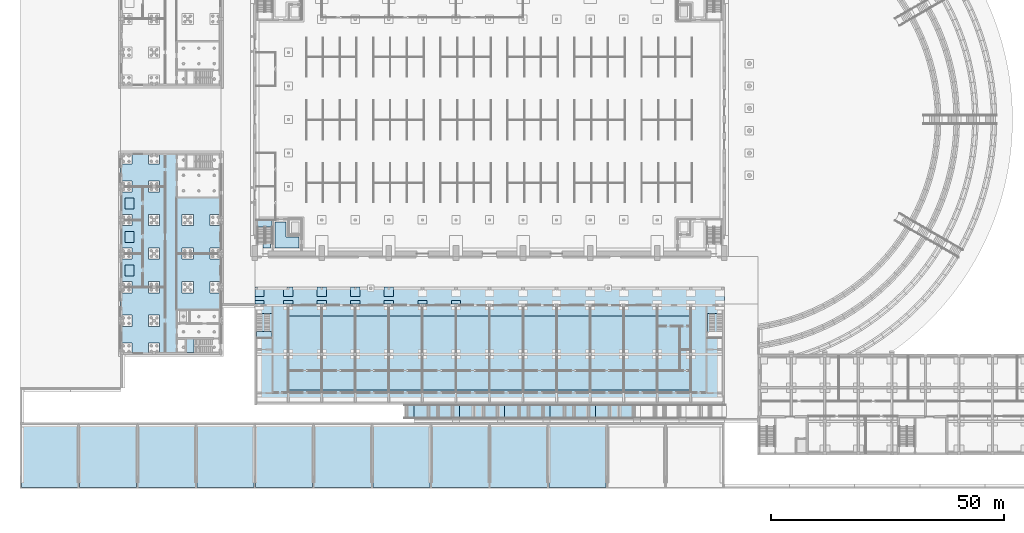
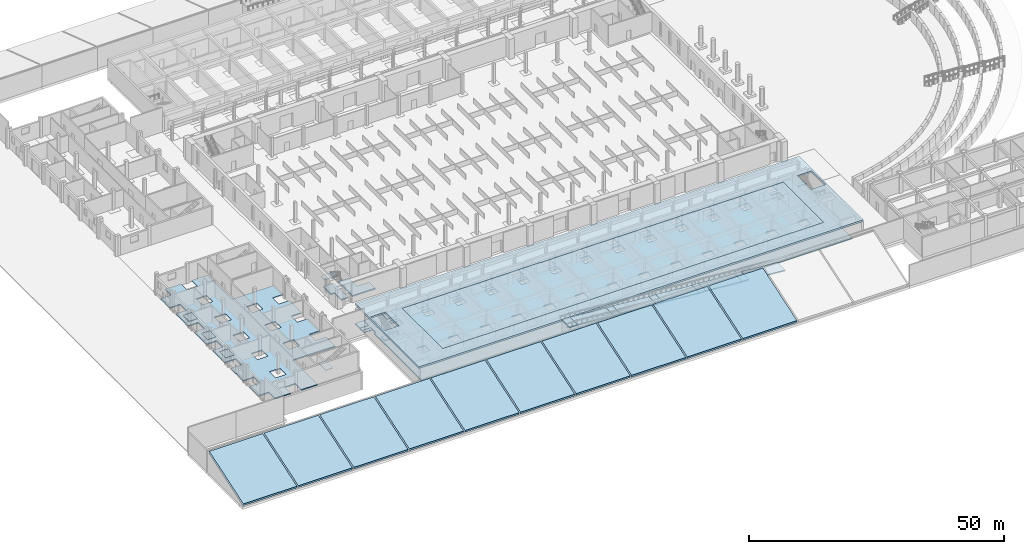
# One storey, part 23 of 73: 41 slabs, 3 plates, 3 elements without a shape of their own.
"""IFC4 building model written with IfcOpenShell, lengths in metres."""

from ifc_helpers import new_model, si_unit, direction, frame, origin, origin_2d, place, context, subcontext, project, spatial, polyline, rectangle, outline, extrude, material, layer, layer_set, type_object, element, aggregate, save


model = new_model("IFC4")

# Units and contexts
model_context = context("Model", 3, precision=1e-05, world=origin(), true_north=direction((0.0, 1.0)))
body_context = subcontext(model_context, "Body", "Model", "MODEL_VIEW")
ifc_project = project(units=[si_unit("LENGTHUNIT", "METRE"), si_unit("AREAUNIT", "SQUARE_METRE"), si_unit("VOLUMEUNIT", "CUBIC_METRE"), si_unit("PLANEANGLEUNIT", "RADIAN"), si_unit("MASSUNIT", "GRAM", prefix="KILO")], contexts=[model_context])

# Site, building, storey
site_placement = place(None, origin())
site = spatial("IfcSite", under=ifc_project, at=site_placement, CompositionType="ELEMENT")
building_placement = place(site_placement, origin())
building = spatial("IfcBuilding", under=site, at=building_placement, Name="Alderwick Market Hall", CompositionType="ELEMENT")
storey_placement = place(building_placement, origin())
storey = spatial("IfcBuildingStorey", under=building, at=storey_placement, Name="LG", CompositionType="ELEMENT", Elevation=0.0)

# Slabs
ifc_material_1 = material(Name="Concrete 4000 psi (f'c 28 MPa)", Category="concrete")
ifc_layer_1 = layer(ifc_material_1, 0.25)
ifc_layer_set_1 = layer_set([ifc_layer_1], Name="Concrete 4000 psi (f'c 28 MPa)")
slab_type_1 = type_object("IfcSlabType", Name="A Ground Slab 250", PredefinedType="BASESLAB", material=ifc_layer_set_1)
slab_1_placement = place(storey_placement, frame((0.0, 0.0, -0.25)))
element("IfcSlab", 1, at=slab_1_placement, inside=storey, type_object=slab_type_1, Name="A.S.slab.LG", PredefinedType="BASESLAB", context=body_context, shape_type="SweptSolid", body=[
    extrude(outline(polyline([(80.199951171875, 41.199951171875), (80.199951171875, 43.199951171875), (85.39990234375, 43.199951171875), (85.39990234375, 41.199951171875), (87.39990234375, 41.199951171875), (87.39990234375, 43.199951171875), (92.60009765625, 43.199951171875), (92.60009765625, 41.199951171875), (94.60009765625, 41.199951171875), (94.60009765625, 43.199951171875), (99.800048828125, 43.199951171875), (99.800048828125, 41.199951171875), (101.800048828125, 41.199951171875), (101.800048828125, 43.199951171875), (107.0, 43.199951171875), (107.0, 41.199951171875), (109.0, 41.199951171875), (109.0, 43.199951171875), (114.199951171875, 43.199951171875), (114.199951171875, 41.199951171875), (116.199951171875, 41.199951171875), (116.199951171875, 43.199951171875), (121.39990234375, 43.199951171875), (121.39990234375, 41.199951171875), (123.39990234375, 41.199951171875), (123.39990234375, 43.199951171875), (128.60009765625, 43.199951171875), (128.60009765625, 41.199951171875), (130.60009765625, 41.199951171875), (130.60009765625, 43.199951171875), (135.800048828125, 43.199951171875), (135.800048828125, 41.199951171875), (137.800048828125, 41.199951171875), (137.800048828125, 43.199951171875), (143.0, 43.199951171875), (143.0, 41.199951171875), (145.0, 41.199951171875), (145.0, 43.199951171875), (149.199951171875, 43.199951171875), (149.199951171875, 41.199951171875), (151.199951171875, 41.199951171875), (151.199951171875, 40.35009765625), (149.199951171875, 40.35009765625), (149.199951171875, 38.35009765625), (149.60009765625, 38.35009765625), (149.60009765625, 19.60009765625), (52.0, 19.60009765625), (52.0, 38.35009765625), (52.39990234375, 38.35009765625), (52.39990234375, 40.35009765625), (50.39990234375, 40.35009765625), (50.39990234375, 41.199951171875), (52.39990234375, 41.199951171875), (52.39990234375, 43.199951171875), (56.60009765625, 43.199951171875), (56.60009765625, 41.199951171875), (58.60009765625, 41.199951171875), (58.60009765625, 43.199951171875), (63.800048828125, 43.199951171875), (63.800048828125, 41.199951171875), (65.800048828125, 41.199951171875), (65.800048828125, 43.199951171875), (71.0, 43.199951171875), (71.0, 41.199951171875), (73.0, 41.199951171875), (73.0, 43.199951171875), (78.199951171875, 43.199951171875), (78.199951171875, 41.199951171875), (80.199951171875, 41.199951171875)]), holes=[polyline([(58.60009765625, 40.35009765625), (56.60009765625, 40.35009765625), (56.60009765625, 38.35009765625), (58.60009765625, 38.35009765625), (58.60009765625, 40.35009765625)]), polyline([(65.800048828125, 38.35009765625), (65.800048828125, 40.35009765625), (63.800048828125, 40.35009765625), (63.800048828125, 38.35009765625), (65.800048828125, 38.35009765625)]), polyline([(71.0, 38.35009765625), (73.0, 38.35009765625), (73.0, 40.35009765625), (71.0, 40.35009765625), (71.0, 38.35009765625)]), polyline([(78.199951171875, 40.35009765625), (78.199951171875, 38.35009765625), (80.199951171875, 38.35009765625), (80.199951171875, 40.35009765625), (78.199951171875, 40.35009765625)]), polyline([(87.39990234375, 40.35009765625), (85.39990234375, 40.35009765625), (85.39990234375, 38.35009765625), (87.39990234375, 38.35009765625), (87.39990234375, 40.35009765625)]), polyline([(94.60009765625, 38.35009765625), (94.60009765625, 40.35009765625), (92.60009765625, 40.35009765625), (92.60009765625, 38.35009765625), (94.60009765625, 38.35009765625)]), polyline([(99.800048828125, 38.35009765625), (101.800048828125, 38.35009765625), (101.800048828125, 40.35009765625), (99.800048828125, 40.35009765625), (99.800048828125, 38.35009765625)]), polyline([(107.0, 40.35009765625), (107.0, 38.35009765625), (109.0, 38.35009765625), (109.0, 40.35009765625), (107.0, 40.35009765625)]), polyline([(116.199951171875, 40.35009765625), (114.199951171875, 40.35009765625), (114.199951171875, 38.35009765625), (116.199951171875, 38.35009765625), (116.199951171875, 40.35009765625)]), polyline([(123.39990234375, 38.35009765625), (123.39990234375, 40.35009765625), (121.39990234375, 40.35009765625), (121.39990234375, 38.35009765625), (123.39990234375, 38.35009765625)]), polyline([(128.60009765625, 38.35009765625), (130.60009765625, 38.35009765625), (130.60009765625, 40.35009765625), (128.60009765625, 40.35009765625), (128.60009765625, 38.35009765625)]), polyline([(135.800048828125, 40.35009765625), (135.800048828125, 38.35009765625), (137.800048828125, 38.35009765625), (137.800048828125, 40.35009765625), (135.800048828125, 40.35009765625)]), polyline([(145.0, 40.35009765625), (143.0, 40.35009765625), (143.0, 38.35009765625), (145.0, 38.35009765625), (145.0, 40.35009765625)]), polyline([(56.60009765625, 27.800048828125), (58.60009765625, 27.800048828125), (58.60009765625, 29.800048828125), (56.60009765625, 29.800048828125), (56.60009765625, 27.800048828125)]), polyline([(63.800048828125, 29.800048828125), (63.800048828125, 27.800048828125), (65.800048828125, 27.800048828125), (65.800048828125, 29.800048828125), (63.800048828125, 29.800048828125)]), polyline([(73.0, 29.800048828125), (71.0, 29.800048828125), (71.0, 27.800048828125), (73.0, 27.800048828125), (73.0, 29.800048828125)]), polyline([(80.199951171875, 27.800048828125), (80.199951171875, 29.800048828125), (78.199951171875, 29.800048828125), (78.199951171875, 27.800048828125), (80.199951171875, 27.800048828125)]), polyline([(85.39990234375, 27.800048828125), (87.39990234375, 27.800048828125), (87.39990234375, 29.800048828125), (85.39990234375, 29.800048828125), (85.39990234375, 27.800048828125)]), polyline([(92.60009765625, 29.800048828125), (92.60009765625, 27.800048828125), (94.60009765625, 27.800048828125), (94.60009765625, 29.800048828125), (92.60009765625, 29.800048828125)]), polyline([(101.800048828125, 29.800048828125), (99.800048828125, 29.800048828125), (99.800048828125, 27.800048828125), (101.800048828125, 27.800048828125), (101.800048828125, 29.800048828125)]), polyline([(109.0, 27.800048828125), (109.0, 29.800048828125), (107.0, 29.800048828125), (107.0, 27.800048828125), (109.0, 27.800048828125)]), polyline([(114.199951171875, 27.800048828125), (116.199951171875, 27.800048828125), (116.199951171875, 29.800048828125), (114.199951171875, 29.800048828125), (114.199951171875, 27.800048828125)]), polyline([(121.39990234375, 29.800048828125), (121.39990234375, 27.800048828125), (123.39990234375, 27.800048828125), (123.39990234375, 29.800048828125), (121.39990234375, 29.800048828125)]), polyline([(130.60009765625, 29.800048828125), (128.60009765625, 29.800048828125), (128.60009765625, 27.800048828125), (130.60009765625, 27.800048828125), (130.60009765625, 29.800048828125)]), polyline([(137.800048828125, 27.800048828125), (137.800048828125, 29.800048828125), (135.800048828125, 29.800048828125), (135.800048828125, 27.800048828125), (137.800048828125, 27.800048828125)]), polyline([(143.0, 27.800048828125), (145.0, 27.800048828125), (145.0, 29.800048828125), (143.0, 29.800048828125), (143.0, 27.800048828125)])]), origin(), (0.0, 0.0, 1.0), 0.25),
])
ifc_layer_2 = layer(ifc_material_1, 0.39990234375)
ifc_layer_set_2 = layer_set([ifc_layer_2], Name="Concrete 4000 psi (f'c 28 MPa)")
slab_type_2 = type_object("IfcSlabType", Name="A RC Roof Slab 400", PredefinedType="ROOF", material=ifc_layer_set_2)
slab_2_placement = place(storey_placement, frame((0.0, 0.0, 4.39990234375)))
element("IfcSlab", 2, at=slab_2_placement, inside=storey, type_object=slab_type_2, Name="A.S.roof", PredefinedType="ROOF", context=body_context, shape_type="SweptSolid", body=[
    extrude(outline(polyline([(151.199951171875, 43.199951171875), (151.199951171875, 18.0), (50.39990234375, 18.0), (50.39990234375, 43.199951171875), (151.199951171875, 43.199951171875)]), holes=[polyline([(50.800048828125, 32.179931640625), (54.050048828125, 32.179931640625), (54.050048828125, 37.590087890625), (50.800048828125, 37.590087890625), (50.800048828125, 32.179931640625)]), polyline([(147.550048828125, 37.590087890625), (147.550048828125, 32.179931640625), (150.800048828125, 32.179931640625), (150.800048828125, 37.590087890625), (147.550048828125, 37.590087890625)]), polyline([(144.0, 37.050048828125), (57.60009765625, 37.050048828125), (57.60009765625, 21.14990234375), (144.0, 21.14990234375), (144.0, 37.050048828125)])]), origin(), (0.0, 0.0, 1.0), 0.400146484375),
])
slab_3_placement = place(storey_placement, frame((0.0, 0.0, 4.39990234375)))
element("IfcSlab", 3, at=slab_3_placement, inside=storey, type_object=slab_type_2, Name="Planter bank deck", PredefinedType="ROOF", context=body_context, shape_type="SweptSolid", body=[
    extrude(outline(polyline([(144.0, 21.14990234375), (144.0, 37.050048828125), (57.60009765625, 37.050048828125), (57.60009765625, 21.14990234375), (144.0, 21.14990234375)])), origin(), (0.0, 0.0, 1.0), 0.400146484375),
])

# Stair, slab
ifc_material_2 = material(Name="Concrete 5000 psi (f'c 35 MPa)", Category="concrete")
stair_type_1 = type_object("IfcStairType", Name="A Roof Stair 1300", PredefinedType="TWO_STRAIGHT_RUN_STAIR", material=ifc_material_2)
stair_1_placement = place(storey_placement, origin())
stair_1 = element("IfcStair", 4, at=stair_1_placement, inside=storey, type_object=stair_type_1, Name="Roof stair SW", PredefinedType="TWO_STRAIGHT_RUN_STAIR")
ifc_layer_3 = layer(ifc_material_2, 0.199951171875)
ifc_layer_set_3 = layer_set([ifc_layer_3], Name="Concrete 5000 psi (f'c 35 MPa)")
slab_type_3 = type_object("IfcSlabType", Name="A Stair Landing 200", PredefinedType="LANDING", material=ifc_layer_set_3)
slab_4_placement = place(storey_placement, frame((0.0, 0.0, 2.199951171875)))
slab_4 = element("IfcSlab", 5, at=slab_4_placement, type_object=slab_type_3, Name="A-ST-SW landing 1", PredefinedType="LANDING", context=body_context, shape_type="SweptSolid", body=[
    extrude(outline(polyline([(50.800048828125, 33.679931640625), (54.050048828125, 33.679931640625), (54.050048828125, 32.179931640625), (50.800048828125, 32.179931640625), (50.800048828125, 33.679931640625)])), origin(), (0.0, 0.0, 1.0), 0.199951171875),
])
aggregate(stair_1, [slab_4])

# Plates
ifc_material_3 = material(Name="Steel ASTM A572 Grade 50", Category="steel")
ifc_layer_4 = layer(ifc_material_3, 0.02001953125)
ifc_layer_set_4 = layer_set([ifc_layer_4], Name="Steel ASTM A572 Grade 50")
plate_type = type_object("IfcPlateType", Name="B Dock Leveller Plate 20", PredefinedType="SHEET", material=ifc_layer_set_4)
for number, where, z_axis, x_axis, name in (
    (6, (23.5, 46.800048828125, 0.0), (0.0, 0.0, 1.0), (1.0, 0.0, 0.0), "Dock leveller plate"),
    (7, (23.5, 54.0, 0.0), (0.0, 0.0, 1.0), (1.0, 0.0, 0.0), "Dock leveller plate"),
    (8, (23.5, 61.199951171875, 0.0), (0.0, 0.0, 1.0), (1.0, 0.0, 0.0), "Dock leveller plate"),
):
    element("IfcPlate", number, at=place(storey_placement, frame(where, z_axis=z_axis, x_axis=x_axis)), inside=storey, type_object=plate_type, Name=name, PredefinedType="SHEET", context=body_context, shape_type="SweptSolid", body=[
        extrude(rectangle(XDim=2.0, YDim=2.39990234375, at=origin_2d()), origin(), (0.0, 0.0, 1.0), 0.02001953125),
    ])

# Slab
ifc_layer_5 = layer(ifc_material_1, 0.25)
ifc_layer_set_5 = layer_set([ifc_layer_5], Name="Concrete 4000 psi (f'c 28 MPa)")
slab_type_4 = type_object("IfcSlabType", Name="B Ground Slab 250", PredefinedType="BASESLAB", material=ifc_layer_set_5)
slab_5_placement = place(storey_placement, frame((0.0, 0.0, -0.25)))
element("IfcSlab", 9, at=slab_5_placement, inside=storey, type_object=slab_type_4, Name="B.S.slab.LG", PredefinedType="BASESLAB", context=body_context, shape_type="SweptSolid", body=[
    extrude(outline(polyline([(21.60009765625, 58.800048828125), (21.60009765625, 63.60009765625), (24.0, 63.60009765625), (24.0, 66.0), (21.60009765625, 66.0), (21.60009765625, 69.60009765625), (24.0, 69.60009765625), (24.0, 72.0), (27.60009765625, 72.0), (27.60009765625, 69.60009765625), (30.0, 69.60009765625), (30.0, 72.0), (33.60009765625, 72.0), (33.60009765625, 62.39990234375), (43.199951171875, 62.39990234375), (43.199951171875, 58.800048828125), (40.800048828125, 58.800048828125), (40.800048828125, 56.39990234375), (43.199951171875, 56.39990234375), (43.199951171875, 51.60009765625), (40.800048828125, 51.60009765625), (40.800048828125, 49.199951171875), (43.199951171875, 49.199951171875), (43.199951171875, 44.39990234375), (40.800048828125, 44.39990234375), (40.800048828125, 42.0), (43.199951171875, 42.0), (43.199951171875, 38.39990234375), (33.60009765625, 38.39990234375), (33.60009765625, 28.800048828125), (30.0, 28.800048828125), (30.0, 31.199951171875), (27.60009765625, 31.199951171875), (27.60009765625, 28.800048828125), (24.0, 28.800048828125), (24.0, 31.199951171875), (21.60009765625, 31.199951171875), (21.60009765625, 34.800048828125), (24.0, 34.800048828125), (24.0, 37.199951171875), (21.60009765625, 37.199951171875), (21.60009765625, 42.0), (24.0, 42.0), (24.0, 44.39990234375), (21.60009765625, 44.39990234375), (21.60009765625, 49.199951171875), (24.0, 49.199951171875), (24.0, 51.60009765625), (21.60009765625, 51.60009765625), (21.60009765625, 56.39990234375), (24.0, 56.39990234375), (24.0, 58.800048828125), (21.60009765625, 58.800048828125)]), holes=[polyline([(27.60009765625, 37.199951171875), (27.60009765625, 34.800048828125), (30.0, 34.800048828125), (30.0, 37.199951171875), (27.60009765625, 37.199951171875)]), polyline([(30.0, 44.39990234375), (27.60009765625, 44.39990234375), (27.60009765625, 42.0), (30.0, 42.0), (30.0, 44.39990234375)]), polyline([(30.0, 49.199951171875), (30.0, 51.60009765625), (27.60009765625, 51.60009765625), (27.60009765625, 49.199951171875), (30.0, 49.199951171875)]), polyline([(27.60009765625, 56.39990234375), (30.0, 56.39990234375), (30.0, 58.800048828125), (27.60009765625, 58.800048828125), (27.60009765625, 56.39990234375)]), polyline([(27.60009765625, 66.0), (27.60009765625, 63.60009765625), (30.0, 63.60009765625), (30.0, 66.0), (27.60009765625, 66.0)]), polyline([(37.199951171875, 42.0), (37.199951171875, 44.39990234375), (34.800048828125, 44.39990234375), (34.800048828125, 42.0), (37.199951171875, 42.0)]), polyline([(34.800048828125, 49.199951171875), (37.199951171875, 49.199951171875), (37.199951171875, 51.60009765625), (34.800048828125, 51.60009765625), (34.800048828125, 49.199951171875)]), polyline([(34.800048828125, 58.800048828125), (34.800048828125, 56.39990234375), (37.199951171875, 56.39990234375), (37.199951171875, 58.800048828125), (34.800048828125, 58.800048828125)])]), origin(), (0.0, 0.0, 1.0), 0.25),
])

# Stair, slab
stair_type_2 = type_object("IfcStairType", Name="B Exit Stair 1300", PredefinedType="TWO_STRAIGHT_RUN_STAIR", material=ifc_material_2)
stair_2_placement = place(storey_placement, origin())
stair_2 = element("IfcStair", 10, at=stair_2_placement, inside=storey, type_object=stair_type_2, Name="Stair S-1 LG", PredefinedType="TWO_STRAIGHT_RUN_STAIR")
ifc_layer_6 = layer(ifc_material_2, 0.199951171875)
ifc_layer_set_6 = layer_set([ifc_layer_6], Name="Concrete 5000 psi (f'c 35 MPa)")
slab_type_5 = type_object("IfcSlabType", Name="B Stair Landing 200", PredefinedType="LANDING", material=ifc_layer_set_6)
slab_6_placement = place(storey_placement, frame((0.0, 0.0, 2.199951171875)))
slab_6 = element("IfcSlab", 11, at=slab_6_placement, type_object=slab_type_5, Name="B-ST-S-1-LG landing 1", PredefinedType="LANDING", context=body_context, shape_type="SweptSolid", body=[
    extrude(outline(polyline([(35.75, 29.199951171875), (37.3798828125, 29.199951171875), (37.3798828125, 32.050048828125), (35.75, 32.050048828125), (35.75, 29.199951171875)])), origin(), (0.0, 0.0, 1.0), 0.199951171875),
])
aggregate(stair_2, [slab_6])

# Slabs
ifc_layer_7 = layer(ifc_material_1, 0.300048828125)
ifc_layer_set_7 = layer_set([ifc_layer_7], Name="Concrete 4000 psi (f'c 28 MPa)")
slab_type_6 = type_object("IfcSlabType", Name="H Base slab 300", PredefinedType="BASESLAB", material=ifc_layer_set_7)
slab_7_placement = place(storey_placement, frame((0.0, 0.0, -0.300048828125)))
element("IfcSlab", 12, at=slab_7_placement, inside=storey, type_object=slab_type_6, Name="Base slab", PredefinedType="BASESLAB", context=body_context, shape_type="SweptSolid", body=[
    extrude(outline(polyline([(52.199951171875, 54.300048828125), (51.39990234375, 54.300048828125), (51.39990234375, 57.239990234375), (53.75, 57.239990234375), (53.75, 51.60009765625), (52.199951171875, 51.60009765625), (52.199951171875, 54.300048828125)])), origin(), (0.0, 0.0, 1.0), 0.300048828125),
])
slab_8_placement = place(storey_placement, frame((0.0, 0.0, -0.300048828125)))
element("IfcSlab", 13, at=slab_8_placement, inside=storey, type_object=slab_type_6, Name="Base slab", PredefinedType="BASESLAB", context=body_context, shape_type="SweptSolid", body=[
    extrude(outline(polyline([(54.800048828125, 57.239990234375), (57.14990234375, 57.239990234375), (57.14990234375, 53.989990234375), (59.89990234375, 53.989990234375), (59.89990234375, 51.60009765625), (54.800048828125, 51.60009765625), (54.800048828125, 57.239990234375)])), origin(), (0.0, 0.0, 1.0), 0.300048828125),
])

# Stair, slab
stair_type_3 = type_object("IfcStairType", Name="H Stair 1500", PredefinedType="HALF_TURN_STAIR", material=ifc_material_2)
stair_3_placement = place(storey_placement, origin())
stair_3 = element("IfcStair", 14, at=stair_3_placement, inside=storey, type_object=stair_type_3, Name="LG Exit stair H-SW", PredefinedType="HALF_TURN_STAIR")
ifc_layer_8 = layer(ifc_material_1, 0.199951171875)
ifc_layer_set_8 = layer_set([ifc_layer_8], Name="Concrete 4000 psi (f'c 28 MPa)")
slab_type_7 = type_object("IfcSlabType", Name="H Stair landing 200", PredefinedType="LANDING", material=ifc_layer_set_8)
slab_9_placement = place(storey_placement, frame((0.0, 0.0, 2.199951171875)))
slab_9 = element("IfcSlab", 15, at=slab_9_placement, type_object=slab_type_7, Name="H-SW landing 1", PredefinedType="LANDING", context=body_context, shape_type="SweptSolid", body=[
    extrude(outline(polyline([(54.14990234375, 56.139892578125), (54.14990234375, 57.639892578125), (51.0, 57.639892578125), (51.0, 56.139892578125), (54.14990234375, 56.139892578125)])), origin(), (0.0, 0.0, 1.0), 0.199951171875),
])
aggregate(stair_3, [slab_9])

# Slabs
ifc_material_4 = material(Name="Planted soil build-up, Concrete 4000 psi (f'c 28 MPa) drainage layer", Category="concrete")
ifc_layer_9 = layer(ifc_material_4, 0.60009765625)
ifc_layer_set_9 = layer_set([ifc_layer_9], Name="Planted soil build-up, Concrete 4000 psi (f'c 28 MPa) drainage layer")
slab_type_8 = type_object("IfcSlabType", Name="S Berm Soil Build-up 600", PredefinedType="ROOF", material=ifc_layer_set_9)
slab_10_placement = place(storey_placement, frame((0.300048828125, 0.16796875, 0.319091796875), z_axis=(0.0, -0.316238103955, 0.948679852009), x_axis=(1.0, 0.0, 0.0)))
element("IfcSlab", 16, at=slab_10_placement, inside=storey, type_object=slab_type_8, Name="Planted berm S01", PredefinedType="ROOF", context=body_context, shape_type="SweptSolid", body=[
    extrude(outline(polyline([(0.0, 0.0), (12.14990234375, 0.0), (12.14990234375, 14.169567092670977), (0.0, 14.169567092670977), (0.0, 0.0)])), origin(), (0.0, 0.0, -1.0), 0.60009765625),
])
slab_11_placement = place(storey_placement, frame((12.75, 0.16796875, 0.319091796875), z_axis=(0.0, -0.316238103955, 0.948679852009), x_axis=(1.0, 0.0, 0.0)))
element("IfcSlab", 17, at=slab_11_placement, inside=storey, type_object=slab_type_8, Name="Planted berm S02", PredefinedType="ROOF", context=body_context, shape_type="SweptSolid", body=[
    extrude(outline(polyline([(0.0, 0.0), (12.300048828125, 0.0), (12.300048828125, 14.169567092670977), (0.0, 14.169567092670977), (0.0, 0.0)])), origin(), (0.0, 0.0, -1.0), 0.60009765625),
])
slab_12_placement = place(storey_placement, frame((25.35009765625, 0.16796875, 0.319091796875), z_axis=(0.0, -0.316238103955, 0.948679852009), x_axis=(1.0, 0.0, 0.0)))
element("IfcSlab", 18, at=slab_12_placement, inside=storey, type_object=slab_type_8, Name="Planted berm S03", PredefinedType="ROOF", context=body_context, shape_type="SweptSolid", body=[
    extrude(outline(polyline([(0.0, 0.0), (12.2998046875, 0.0), (12.2998046875, 14.169567092670977), (0.0, 14.169567092670977), (0.0, 0.0)])), origin(), (0.0, 0.0, -1.0), 0.60009765625),
])
for number, where, z_axis, x_axis, name in (
    (19, (37.949951171875, 0.16796875, 0.319091796875), (0.0, -0.316238103955, 0.948679852009), (1.0, 0.0, 0.0), "Planted berm S04"),
    (20, (50.550048828125, 0.16796875, 0.319091796875), (0.0, -0.316238103955, 0.948679852009), (1.0, 0.0, 0.0), "Planted berm S05"),
    (21, (63.14990234375, 0.16796875, 0.319091796875), (0.0, -0.316238103955, 0.948679852009), (1.0, 0.0, 0.0), "Planted berm S06"),
    (22, (75.75, 0.16796875, 0.319091796875), (0.0, -0.316238103955, 0.948679852009), (1.0, 0.0, 0.0), "Planted berm S07"),
):
    element("IfcSlab", number, at=place(storey_placement, frame(where, z_axis=z_axis, x_axis=x_axis)), inside=storey, type_object=slab_type_8, Name=name, PredefinedType="ROOF", context=body_context, shape_type="SweptSolid", body=[
        extrude(outline(polyline([(0.0, 0.0), (12.300048828125, 0.0), (12.300048828125, 14.169567092670977), (0.0, 14.169567092670977), (0.0, 0.0)])), origin(), (0.0, 0.0, -1.0), 0.60009765625),
    ])
slab_13_placement = place(storey_placement, frame((88.35009765625, 0.16796875, 0.319091796875), z_axis=(0.0, -0.316238103955, 0.948679852009), x_axis=(1.0, 0.0, 0.0)))
element("IfcSlab", 23, at=slab_13_placement, inside=storey, type_object=slab_type_8, Name="Planted berm S08", PredefinedType="ROOF", context=body_context, shape_type="SweptSolid", body=[
    extrude(outline(polyline([(0.0, 0.0), (12.2998046875, 0.0), (12.2998046875, 14.169567092670977), (0.0, 14.169567092670977), (0.0, 0.0)])), origin(), (0.0, 0.0, -1.0), 0.60009765625),
])
for number, where, z_axis, x_axis, name in (
    (24, (100.949951171875, 0.16796875, 0.319091796875), (0.0, -0.316238103955, 0.948679852009), (1.0, 0.0, 0.0), "Planted berm S09"),
    (25, (113.550048828125, 0.16796875, 0.319091796875), (0.0, -0.316238103955, 0.948679852009), (1.0, 0.0, 0.0), "Planted berm S10"),
):
    element("IfcSlab", number, at=place(storey_placement, frame(where, z_axis=z_axis, x_axis=x_axis)), inside=storey, type_object=slab_type_8, Name=name, PredefinedType="ROOF", context=body_context, shape_type="SweptSolid", body=[
        extrude(outline(polyline([(0.0, 0.0), (12.300048828125, 0.0), (12.300048828125, 14.169567092670977), (0.0, 14.169567092670977), (0.0, 0.0)])), origin(), (0.0, 0.0, -1.0), 0.60009765625),
    ])
ifc_layer_10 = layer(ifc_material_1, 0.14990234375)
ifc_layer_set_10 = layer_set([ifc_layer_10], Name="Concrete 4000 psi (f'c 28 MPa)")
slab_type_9 = type_object("IfcSlabType", Name="S Paving Arcade 150", PredefinedType="USERDEFINED", material=ifc_layer_set_10)
slab_14_placement = place(storey_placement, frame((0.0, 0.0, -0.14990234375)))
element("IfcSlab", 26, at=slab_14_placement, inside=storey, type_object=slab_type_9, Name="Paving arcade 36", ObjectType="PAVING SLAB", PredefinedType="USERDEFINED", context=body_context, shape_type="SweptSolid", body=[
    extrude(outline(polyline([(94.60009765625, 39.60009765625), (94.60009765625, 40.35009765625), (92.60009765625, 40.35009765625), (92.60009765625, 39.60009765625), (94.60009765625, 39.60009765625)])), origin(), (0.0, 0.0, 1.0), 0.14990234375),
])
slab_15_placement = place(storey_placement, frame((0.0, 0.0, -0.14990234375)))
element("IfcSlab", 27, at=slab_15_placement, inside=storey, type_object=slab_type_9, Name="Paving arcade 38", ObjectType="PAVING SLAB", PredefinedType="USERDEFINED", context=body_context, shape_type="SweptSolid", body=[
    extrude(outline(polyline([(87.39990234375, 39.60009765625), (87.39990234375, 40.35009765625), (85.39990234375, 40.35009765625), (85.39990234375, 39.60009765625), (87.39990234375, 39.60009765625)])), origin(), (0.0, 0.0, 1.0), 0.14990234375),
])
slab_16_placement = place(storey_placement, frame((0.0, 0.0, -0.14990234375)))
element("IfcSlab", 28, at=slab_16_placement, inside=storey, type_object=slab_type_9, Name="Paving arcade 42", ObjectType="PAVING SLAB", PredefinedType="USERDEFINED", context=body_context, shape_type="SweptSolid", body=[
    extrude(outline(polyline([(78.199951171875, 43.199951171875), (78.199951171875, 41.199951171875), (80.199951171875, 41.199951171875), (80.199951171875, 43.199951171875), (78.199951171875, 43.199951171875)])), origin(), (0.0, 0.0, 1.0), 0.14990234375),
])
slab_17_placement = place(storey_placement, frame((0.0, 0.0, -0.14990234375)))
element("IfcSlab", 29, at=slab_17_placement, inside=storey, type_object=slab_type_9, Name="Paving arcade 44", ObjectType="PAVING SLAB", PredefinedType="USERDEFINED", context=body_context, shape_type="SweptSolid", body=[
    extrude(outline(polyline([(80.199951171875, 39.60009765625), (80.199951171875, 40.35009765625), (78.199951171875, 40.35009765625), (78.199951171875, 39.60009765625), (80.199951171875, 39.60009765625)])), origin(), (0.0, 0.0, 1.0), 0.14990234375),
])
slab_18_placement = place(storey_placement, frame((0.0, 0.0, -0.14990234375)))
element("IfcSlab", 30, at=slab_18_placement, inside=storey, type_object=slab_type_9, Name="Paving arcade 46", ObjectType="PAVING SLAB", PredefinedType="USERDEFINED", context=body_context, shape_type="SweptSolid", body=[
    extrude(outline(polyline([(73.0, 39.60009765625), (73.0, 40.35009765625), (71.0, 40.35009765625), (71.0, 39.60009765625), (73.0, 39.60009765625)])), origin(), (0.0, 0.0, 1.0), 0.14990234375),
])
slab_19_placement = place(storey_placement, frame((0.0, 0.0, -0.14990234375)))
element("IfcSlab", 31, at=slab_19_placement, inside=storey, type_object=slab_type_9, Name="Paving arcade 48", ObjectType="PAVING SLAB", PredefinedType="USERDEFINED", context=body_context, shape_type="SweptSolid", body=[
    extrude(outline(polyline([(71.0, 43.199951171875), (71.0, 41.199951171875), (73.0, 41.199951171875), (73.0, 43.199951171875), (71.0, 43.199951171875)])), origin(), (0.0, 0.0, 1.0), 0.14990234375),
])
slab_20_placement = place(storey_placement, frame((0.0, 0.0, -0.14990234375)))
element("IfcSlab", 32, at=slab_20_placement, inside=storey, type_object=slab_type_9, Name="Paving arcade 50", ObjectType="PAVING SLAB", PredefinedType="USERDEFINED", context=body_context, shape_type="SweptSolid", body=[
    extrude(outline(polyline([(63.800048828125, 43.199951171875), (63.800048828125, 41.199951171875), (65.800048828125, 41.199951171875), (65.800048828125, 43.199951171875), (63.800048828125, 43.199951171875)])), origin(), (0.0, 0.0, 1.0), 0.14990234375),
])
slab_21_placement = place(storey_placement, frame((0.0, 0.0, -0.14990234375)))
element("IfcSlab", 33, at=slab_21_placement, inside=storey, type_object=slab_type_9, Name="Paving arcade 52", ObjectType="PAVING SLAB", PredefinedType="USERDEFINED", context=body_context, shape_type="SweptSolid", body=[
    extrude(outline(polyline([(65.800048828125, 39.60009765625), (65.800048828125, 40.35009765625), (63.800048828125, 40.35009765625), (63.800048828125, 39.60009765625), (65.800048828125, 39.60009765625)])), origin(), (0.0, 0.0, 1.0), 0.14990234375),
])
slab_22_placement = place(storey_placement, frame((0.0, 0.0, -0.14990234375)))
element("IfcSlab", 34, at=slab_22_placement, inside=storey, type_object=slab_type_9, Name="Paving arcade 54", ObjectType="PAVING SLAB", PredefinedType="USERDEFINED", context=body_context, shape_type="SweptSolid", body=[
    extrude(outline(polyline([(56.60009765625, 43.199951171875), (56.60009765625, 41.199951171875), (58.60009765625, 41.199951171875), (58.60009765625, 43.199951171875), (56.60009765625, 43.199951171875)])), origin(), (0.0, 0.0, 1.0), 0.14990234375),
])
slab_23_placement = place(storey_placement, frame((0.0, 0.0, -0.14990234375)))
element("IfcSlab", 35, at=slab_23_placement, inside=storey, type_object=slab_type_9, Name="Paving arcade 56", ObjectType="PAVING SLAB", PredefinedType="USERDEFINED", context=body_context, shape_type="SweptSolid", body=[
    extrude(outline(polyline([(58.60009765625, 39.60009765625), (58.60009765625, 40.35009765625), (56.60009765625, 40.35009765625), (56.60009765625, 39.60009765625), (58.60009765625, 39.60009765625)])), origin(), (0.0, 0.0, 1.0), 0.14990234375),
])
slab_24_placement = place(storey_placement, frame((0.0, 0.0, -0.14990234375)))
element("IfcSlab", 36, at=slab_24_placement, inside=storey, type_object=slab_type_9, Name="Paving arcade 57", ObjectType="PAVING SLAB", PredefinedType="USERDEFINED", context=body_context, shape_type="SweptSolid", body=[
    extrude(outline(polyline([(52.39990234375, 39.60009765625), (52.39990234375, 40.35009765625), (50.39990234375, 40.35009765625), (50.39990234375, 39.60009765625), (52.39990234375, 39.60009765625)])), origin(), (0.0, 0.0, 1.0), 0.14990234375),
])
slab_25_placement = place(storey_placement, frame((0.0, 0.0, -0.14990234375)))
element("IfcSlab", 37, at=slab_25_placement, inside=storey, type_object=slab_type_9, Name="Paving arcade 60", ObjectType="PAVING SLAB", PredefinedType="USERDEFINED", context=body_context, shape_type="SweptSolid", body=[
    extrude(outline(polyline([(50.39990234375, 41.199951171875), (52.39990234375, 41.199951171875), (52.39990234375, 43.199951171875), (50.39990234375, 43.199951171875), (50.39990234375, 41.199951171875)])), origin(), (0.0, 0.0, 1.0), 0.14990234375),
])
ifc_layer_11 = layer(ifc_material_1, 0.25)
ifc_layer_set_11 = layer_set([ifc_layer_11], Name="Concrete 4000 psi (f'c 28 MPa)")
slab_type_10 = type_object("IfcSlabType", Name="S Ramp Landing 250", PredefinedType="LANDING", material=ifc_layer_set_11)
slab_26_placement = place(storey_placement, frame((0.0, 0.0, 1.80712890625)))
element("IfcSlab", 38, at=slab_26_placement, inside=storey, type_object=slab_type_10, Name="S-RPS3 landing 1", PredefinedType="LANDING", context=body_context, shape_type="SweptSolid", body=[
    extrude(outline(polyline([(123.513916015625, 15.0), (122.013916015625, 15.0), (122.013916015625, 18.0), (123.513916015625, 18.0), (123.513916015625, 15.0)])), origin(), (0.0, 0.0, 1.0), 0.25),
])
slab_27_placement = place(storey_placement, frame((0.0, 0.0, 2.492919921875)))
element("IfcSlab", 39, at=slab_27_placement, inside=storey, type_object=slab_type_10, Name="S-RPS4 landing 1", PredefinedType="LANDING", context=body_context, shape_type="SweptSolid", body=[
    extrude(outline(polyline([(113.785888671875, 15.0), (112.285888671875, 15.0), (112.285888671875, 18.0), (113.785888671875, 18.0), (113.785888671875, 15.0)])), origin(), (0.0, 0.0, 1.0), 0.25),
])
slab_28_placement = place(storey_placement, frame((0.0, 0.0, 3.1787109375)))
element("IfcSlab", 40, at=slab_28_placement, inside=storey, type_object=slab_type_10, Name="S-RPS5 landing 1", PredefinedType="LANDING", context=body_context, shape_type="SweptSolid", body=[
    extrude(outline(polyline([(104.056884765625, 15.0), (102.556884765625, 15.0), (102.556884765625, 18.0), (104.056884765625, 18.0), (104.056884765625, 15.0)])), origin(), (0.0, 0.0, 1.0), 0.25),
])
slab_29_placement = place(storey_placement, frame((0.0, 0.0, 3.8642578125)))
element("IfcSlab", 41, at=slab_29_placement, inside=storey, type_object=slab_type_10, Name="S-RPS6 landing 1", PredefinedType="LANDING", context=body_context, shape_type="SweptSolid", body=[
    extrude(outline(polyline([(94.3291015625, 15.0), (92.8291015625, 15.0), (92.8291015625, 18.0), (94.3291015625, 18.0), (94.3291015625, 15.0)])), origin(), (0.0, 0.0, 1.0), 0.25),
])
slab_30_placement = place(storey_placement, frame((0.0, 0.0, 4.550048828125)))
element("IfcSlab", 42, at=slab_30_placement, inside=storey, type_object=slab_type_10, Name="S-RPS7 landing 1", PredefinedType="LANDING", context=body_context, shape_type="SweptSolid", body=[
    extrude(outline(polyline([(84.60009765625, 15.0), (82.800048828125, 15.0), (82.800048828125, 18.0), (84.60009765625, 18.0), (84.60009765625, 15.0)])), origin(), (0.0, 0.0, 1.0), 0.25),
])
ifc_layer_12 = layer(ifc_material_1, 0.25)
ifc_layer_set_12 = layer_set([ifc_layer_12], Name="Concrete 4000 psi (f'c 28 MPa)")
slab_type_11 = type_object("IfcSlabType", Name="S Ramp Slab 250", PredefinedType="FLOOR", material=ifc_layer_set_12)
for number, where, z_axis, x_axis, name in (
    (43, (131.742919921875, 16.5, 1.371337890625), (0.0, 0.0, 1.0), (-1.0, 0.0, 0.0), "Ramp S3 flight 1"),
    (44, (122.013916015625, 16.5, 2.05712890625), (0.0, 0.0, 1.0), (-1.0, 0.0, 0.0), "Ramp S4 flight 1"),
    (45, (112.285888671875, 16.5, 2.742919921875), (0.0, 0.0, 1.0), (-1.0, 0.0, 0.0), "Ramp S5 flight 1"),
    (46, (102.556884765625, 16.5, 3.4287109375), (0.0, 0.0, 1.0), (-1.0, 0.0, 0.0), "Ramp S6 flight 1"),
    (47, (92.8291015625, 16.5, 4.1142578125), (0.0, 0.0, 1.0), (-1.0, 0.0, 0.0), "Ramp S7 flight 1"),
):
    element("IfcSlab", number, at=place(storey_placement, frame(where, z_axis=z_axis, x_axis=x_axis)), inside=storey, type_object=slab_type_11, Name=name, PredefinedType="FLOOR", context=body_context, shape_type="SweptSolid", body=[
        extrude(outline(polyline([(0.0, 0.0), (8.228515625, 0.685791015625), (8.228515625, 0.435791015625), (0.0, -0.25), (0.0, 0.0)])), frame((0.0, 1.5, 0.0), z_axis=(0.0, -1.0, 0.0), x_axis=(1.0, 0.0, 0.0)), (0.0, 0.0, 1.0), 3.0),
    ])

save(model, "model.ifc")
